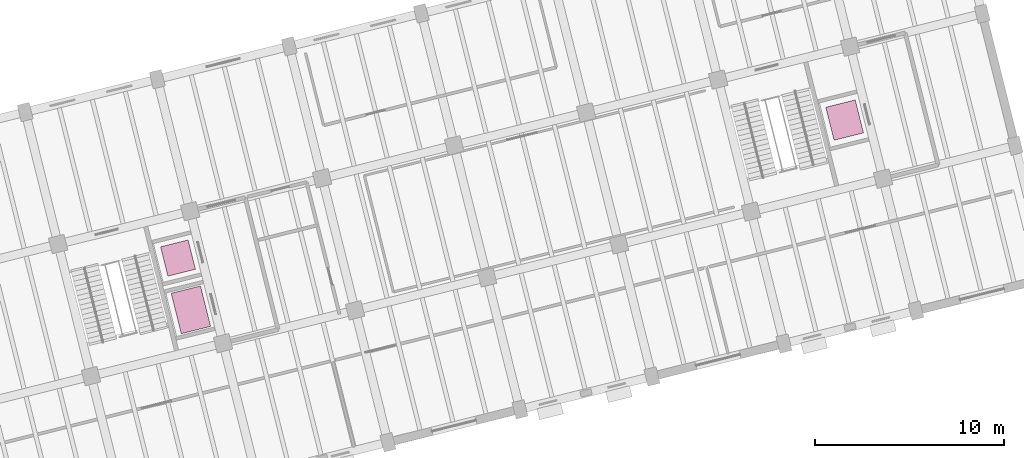
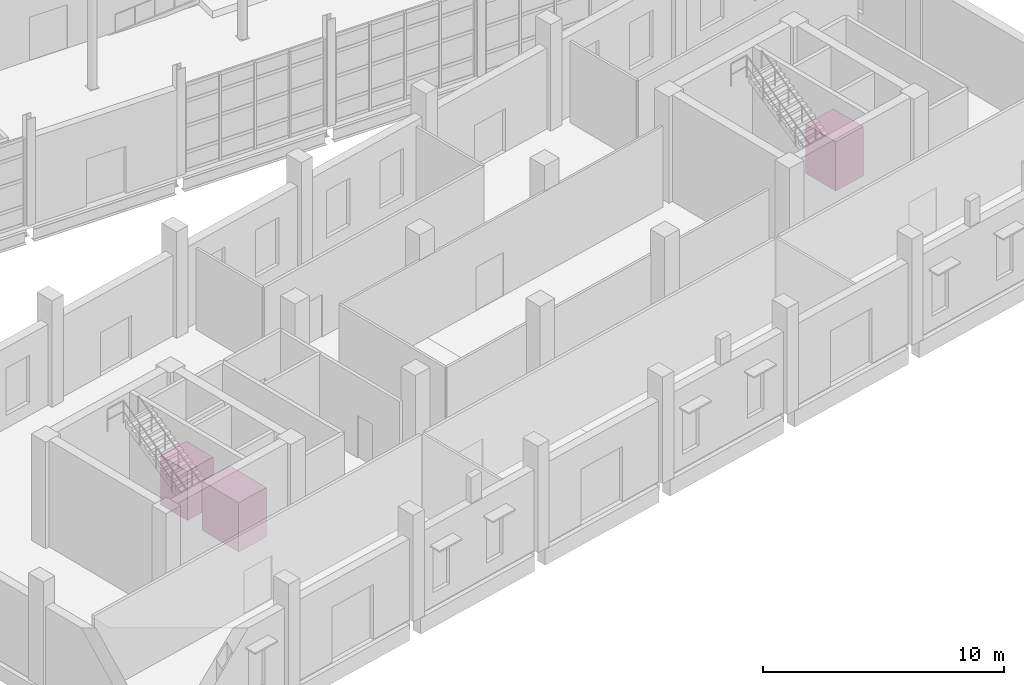
# One storey, part 79 of 79: 3 transport elements.
"""IFC4 building model written with IfcOpenShell, lengths in metres."""

from ifc_helpers import new_model, si_unit, direction, frame, origin, origin_2d, place, context, subcontext, project, spatial, rectangle, extrude, material, type_object, element, save


model = new_model("IFC4")

# Units and contexts
model_context = context("Model", 3, precision=1e-05, world=origin(), true_north=direction((0.0, 1.0)))
body_context = subcontext(model_context, "Body", "Model", "MODEL_VIEW")
ifc_project = project(units=[si_unit("LENGTHUNIT", "METRE"), si_unit("AREAUNIT", "SQUARE_METRE"), si_unit("VOLUMEUNIT", "CUBIC_METRE"), si_unit("PLANEANGLEUNIT", "RADIAN"), si_unit("MASSUNIT", "GRAM", prefix="KILO")], contexts=[model_context])

# Site, building, storey
site_placement = place(None, origin())
site = spatial("IfcSite", under=ifc_project, at=site_placement, CompositionType="ELEMENT")
building_placement = place(site_placement, origin())
building = spatial("IfcBuilding", under=site, at=building_placement, Name="Qiaolan Assembly House", CompositionType="ELEMENT")
storey_placement = place(building_placement, origin())
storey = spatial("IfcBuildingStorey", under=building, at=storey_placement, Name="L00", CompositionType="ELEMENT", Elevation=0.0)

# Transport elements
ifc_material = material(Name="Anodised bronze aluminium", Category="aluminium")
transport_element_type_1 = type_object("IfcTransportElementType", Name="LIFT-PASS-1350", PredefinedType="ELEVATOR", material=ifc_material)
transport_element_1_placement = place(storey_placement, frame((45.84423828125, 14.976318359375, 0.0), z_axis=(0.0, 0.0, 1.0), x_axis=(0.970295726276, 0.2419218956, 0.0)))
element("IfcTransportElement", 1, at=transport_element_1_placement, inside=storey, type_object=transport_element_type_1, Name="Accessible passenger lift LF-07 (1350 kg)", PredefinedType="ELEVATOR", context=body_context, shape_type="SweptSolid", body=[
    extrude(rectangle(XDim=1.5, YDim=1.60009765625, at=origin_2d()), origin(), (0.0, 0.0, 1.0), 2.5),
])
transport_element_type_2 = type_object("IfcTransportElementType", Name="LIFT-PASS-1600", PredefinedType="ELEVATOR", material=ifc_material)
transport_element_2_placement = place(storey_placement, frame((46.52783203125, 12.2353515625, 0.0), z_axis=(0.0, 0.0, 1.0), x_axis=(0.970295726276, 0.2419218956, 0.0)))
element("IfcTransportElement", 2, at=transport_element_2_placement, inside=storey, type_object=transport_element_type_2, Name="Accessible passenger lift LF-06 (1600 kg)", PredefinedType="ELEVATOR", context=body_context, shape_type="SweptSolid", body=[
    extrude(rectangle(XDim=1.60009765625, YDim=2.199951171875, at=origin_2d()), origin(), (0.0, 0.0, 1.0), 2.5),
])
transport_element_3_placement = place(storey_placement, frame((81.125732421875, 22.278564453125, 0.0), z_axis=(0.0, 0.0, 1.0), x_axis=(0.970295726276, 0.2419218956, 0.0)))
element("IfcTransportElement", 3, at=transport_element_3_placement, inside=storey, type_object=transport_element_type_2, Name="Accessible passenger lift LF-08 (1600 kg)", PredefinedType="ELEVATOR", context=body_context, shape_type="SweptSolid", body=[
    extrude(rectangle(XDim=1.60009765625, YDim=1.800048828125, at=origin_2d()), origin(), (0.0, 0.0, 1.0), 2.5),
])

save(model, "model.ifc")
